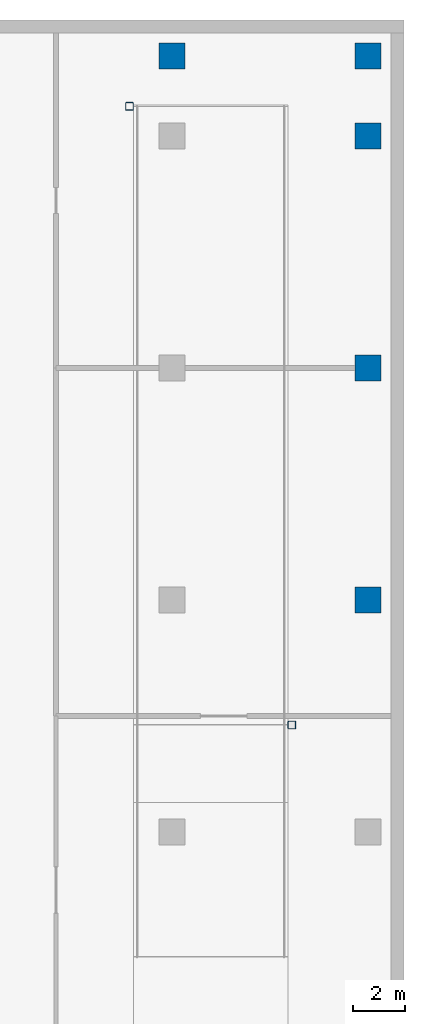
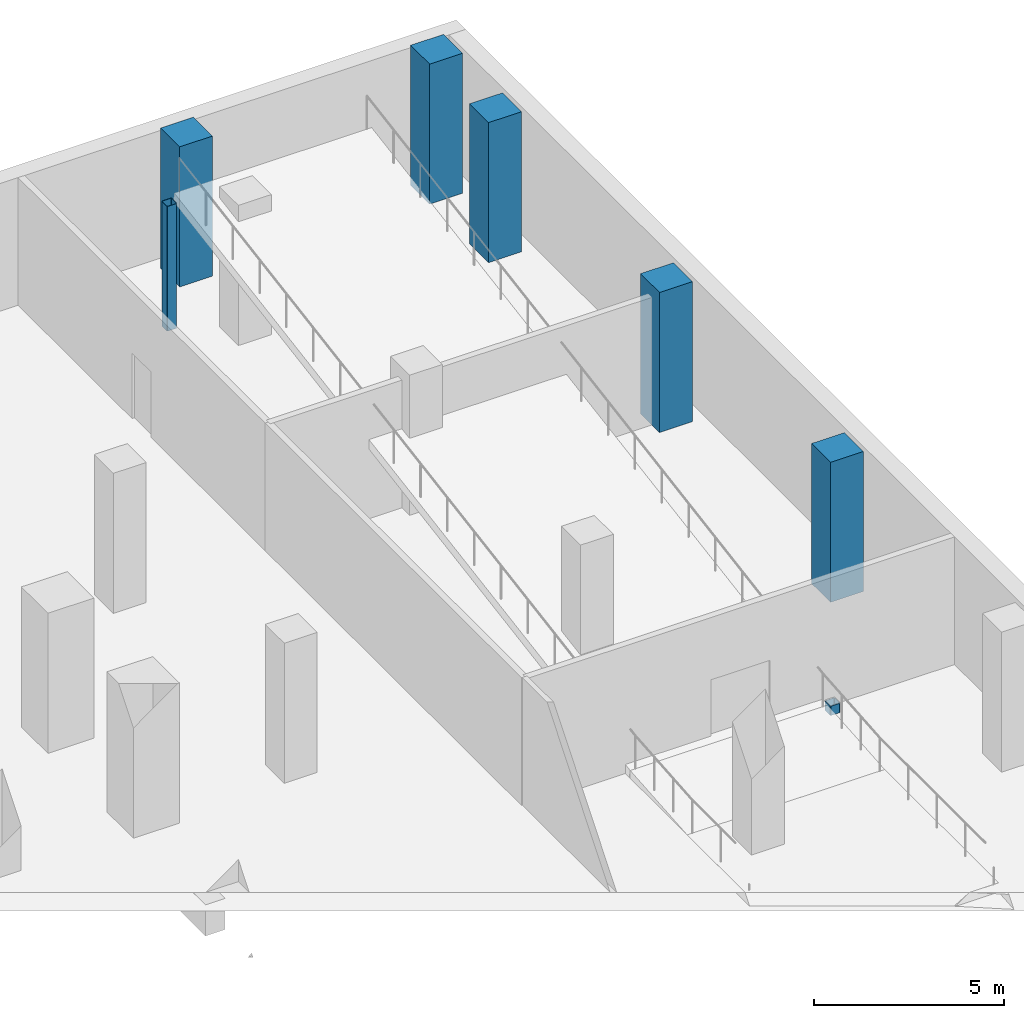
# One storey, part 2 of 16: 7 columns.
"""IFC4 building model written with IfcOpenShell, lengths in metres."""

from ifc_helpers import new_model, si_unit, direction, frame, origin, origin_2d, place, context, subcontext, project, spatial, rectangle, hollow_rectangle, extrude, material, material_profile, profile_set, type_object, element, save


model = new_model("IFC4")

# Units and contexts
model_context = context("Model", 3, precision=1e-05, world=origin(), true_north=direction((0.0, 1.0)))
body_context = subcontext(model_context, "Body", "Model", "MODEL_VIEW")
ifc_project = project(units=[si_unit("LENGTHUNIT", "METRE"), si_unit("AREAUNIT", "SQUARE_METRE"), si_unit("VOLUMEUNIT", "CUBIC_METRE"), si_unit("PLANEANGLEUNIT", "RADIAN"), si_unit("MASSUNIT", "GRAM", prefix="KILO")], contexts=[model_context])

# Site, building, storey
site_placement = place(None, origin())
site = spatial("IfcSite", under=ifc_project, at=site_placement, CompositionType="ELEMENT")
building_placement = place(site_placement, origin())
building = spatial("IfcBuilding", under=site, at=building_placement, Name="Quoin Convention Tower", CompositionType="ELEMENT")
storey_placement = place(building_placement, frame((0.0, 0.0, -4.5)))
storey = spatial("IfcBuildingStorey", under=building, at=storey_placement, Name="B1", CompositionType="ELEMENT", Elevation=-4.5)

# Columns
ifc_material_1 = material(Name="Concrete C100 (100 MPa)", Category="concrete")
ifc_material_profile_1 = material_profile(ifc_material_1, rectangle(XDim=1.0, YDim=1.0, at=origin_2d()), Name="RC 1000x1000")
ifc_profile_set_1 = profile_set([ifc_material_profile_1], Name="Concrete C100 (100 MPa)")
column_type_1 = type_object("IfcColumnType", Name="RC 1000x1000 C100", PredefinedType="COLUMN", material=ifc_profile_set_1)
for number, where, z_axis, x_axis, name in (
    (1, (97.60009765625, 72.0, 0.0), (0.0, 0.0, 1.0), (1.0, 0.0, 0.0), "col-B1-X97600_72000"),
    (2, (97.60009765625, 81.0, 0.0), (0.0, 0.0, 1.0), (1.0, 0.0, 0.0), "col-B1-X97600_81000"),
    (3, (97.60009765625, 90.0, 0.0), (0.0, 0.0, 1.0), (1.0, 0.0, 0.0), "col-B1-X97600_90000"),
    (4, (90.0, 93.10009765625, 0.0), (0.0, 0.0, 1.0), (1.0, 0.0, 0.0), "col-B1-X90000_93100"),
    (5, (97.60009765625, 93.10009765625, 0.0), (0.0, 0.0, 1.0), (1.0, 0.0, 0.0), "col-B1-X97600_93100"),
):
    element("IfcColumn", number, at=place(storey_placement, frame(where, z_axis=z_axis, x_axis=x_axis)), inside=storey, type_object=column_type_1, Name=name, PredefinedType="COLUMN", context=body_context, shape_type="SweptSolid", body=[
        extrude(rectangle(XDim=1.0, YDim=1.0, at=origin_2d()), origin(), (0.0, 0.0, 1.0), 4.5),
    ])
ifc_material_2 = material(Name="Steel Grade 350", Category="steel")
ifc_material_profile_2 = material_profile(ifc_material_2, hollow_rectangle(XDim=0.300048828125, YDim=0.300048828125, WallThickness=0.012451171875, InnerFilletRadius=0.018798828125, OuterFilletRadius=0.03125, at=origin_2d()), Name="300x300x12.5SHS")
ifc_profile_set_2 = profile_set([ifc_material_profile_2], Name="Steel Grade 350")
column_type_2 = type_object("IfcColumnType", Name="Ramp support post 300x300x12.5SHS", PredefinedType="COLUMN", material=ifc_profile_set_2)
column_1_placement = place(storey_placement, frame((94.64990234375, 67.14990234375, 0.0), z_axis=(0.0, 0.0, 1.0), x_axis=(1.0, 0.0, 0.0)))
element("IfcColumn", 6, at=column_1_placement, inside=storey, type_object=column_type_2, Name="rp1lo-B1", PredefinedType="COLUMN", context=body_context, shape_type="SweptSolid", body=[
    extrude(hollow_rectangle(XDim=0.300048828125, YDim=0.300048828125, WallThickness=0.012451171875, InnerFilletRadius=0.018798828125, OuterFilletRadius=0.03125, at=origin_2d()), origin(), (0.0, 0.0, 1.0), 0.300048828125),
])
column_2_placement = place(storey_placement, frame((88.35009765625, 91.14990234375, 0.0), z_axis=(0.0, 0.0, 1.0), x_axis=(1.0, 0.0, 0.0)))
element("IfcColumn", 7, at=column_2_placement, inside=storey, type_object=column_type_2, Name="rp1hi-B1", PredefinedType="COLUMN", context=body_context, shape_type="SweptSolid", body=[
    extrude(hollow_rectangle(XDim=0.300048828125, YDim=0.300048828125, WallThickness=0.012451171875, InnerFilletRadius=0.018798828125, OuterFilletRadius=0.03125, at=origin_2d()), origin(), (0.0, 0.0, 1.0), 4.00390625),
])

save(model, "model.ifc")
